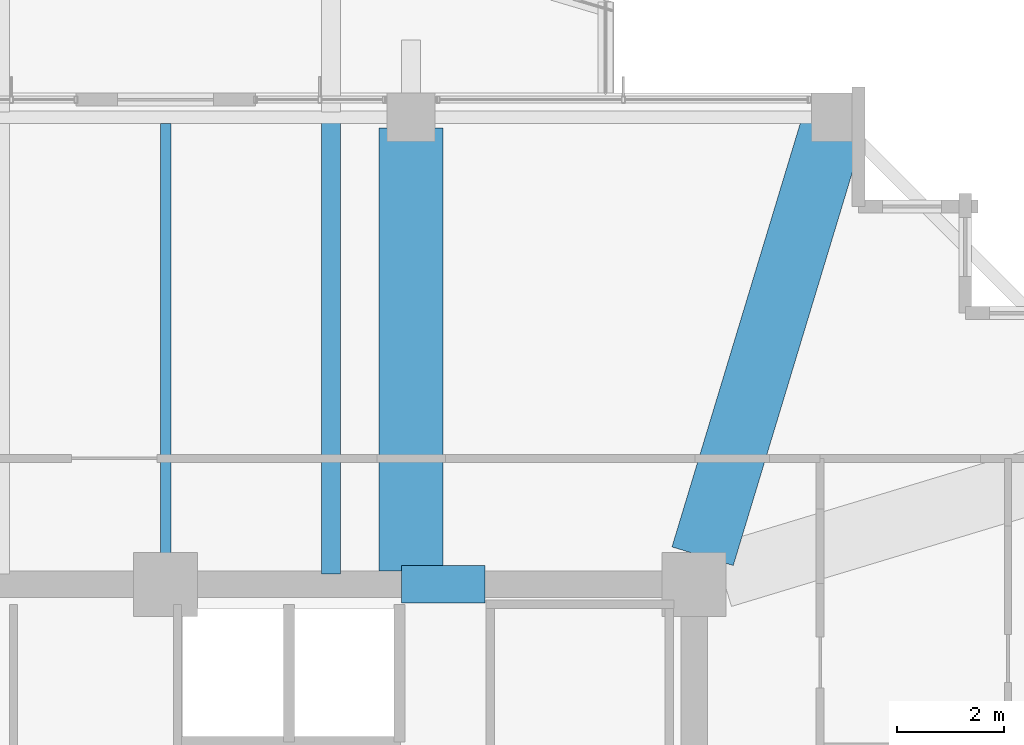
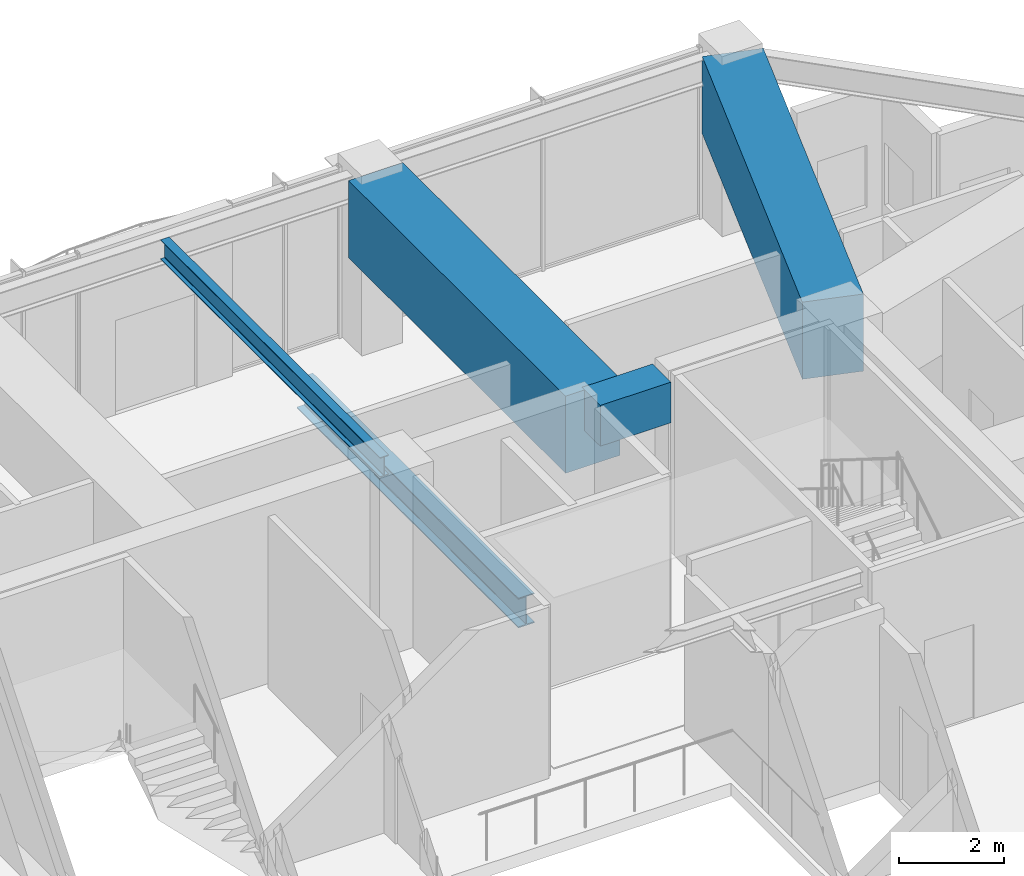
# One storey, part 17 of 33: 5 beams.
"""IFC4 building model written with IfcOpenShell, lengths in metres."""

from ifc_helpers import new_model, si_unit, direction, frame, origin, origin_2d, place, context, subcontext, project, spatial, rectangle, i_section, extrude, material, material_profile, profile_set, type_object, element, save


model = new_model("IFC4")

# Units and contexts
model_context = context("Model", 3, precision=1e-05, world=origin(), true_north=direction((0.0, 1.0)))
body_context = subcontext(model_context, "Body", "Model", "MODEL_VIEW")
ifc_project = project(units=[si_unit("LENGTHUNIT", "METRE"), si_unit("AREAUNIT", "SQUARE_METRE"), si_unit("VOLUMEUNIT", "CUBIC_METRE"), si_unit("PLANEANGLEUNIT", "RADIAN"), si_unit("MASSUNIT", "GRAM", prefix="KILO")], contexts=[model_context])

# Site, building, storey
site_placement = place(None, origin())
site = spatial("IfcSite", under=ifc_project, at=site_placement, CompositionType="ELEMENT")
building_placement = place(site_placement, origin())
building = spatial("IfcBuilding", under=site, at=building_placement, Name="Kolvaren Belvedere", CompositionType="ELEMENT")
storey_placement = place(building_placement, frame((0.0, 0.0, 152.699951171875)))
storey = spatial("IfcBuildingStorey", under=building, at=storey_placement, Name="L44", CompositionType="ELEMENT", Elevation=152.699951171875)

# Beams
ifc_material_1 = material(Name="Structural steel ASTM A992 Grade 50", Category="steel")
ifc_material_profile_1 = material_profile(ifc_material_1, i_section(OverallWidth=0.35498046875, OverallDepth=0.696044921875, WebThickness=0.015380859375, FlangeThickness=0.02490234375, FilletRadius=0.02197265625, at=origin_2d()), Name="W27X146")
ifc_profile_set_1 = profile_set([ifc_material_profile_1], Name="Structural steel ASTM A992 Grade 50")
beam_type_1 = type_object("IfcBeamType", Name="BM-GIRD-W27X146", PredefinedType="BEAM", material=ifc_profile_set_1)
beam_1_placement = place(storey_placement, frame((3.10009765625, 10.090087890625, -0.64794921875), z_axis=(0.0, 1.0, 0.0), x_axis=(-1.0, 0.0, 0.0)))
element("IfcBeam", 1, at=beam_1_placement, inside=storey, type_object=beam_type_1, Name="L44 Balcony Interior Back-Span Girder BAL-N-2", PredefinedType="BEAM", context=body_context, shape_type="SweptSolid", body=[
    extrude(i_section(OverallWidth=0.35498046875, OverallDepth=0.696044921875, WebThickness=0.015380859375, FlangeThickness=0.02490234375, FilletRadius=0.02197265625, at=origin_2d()), origin(), (0.0, 0.0, 1.0), 8.46484375),
])
ifc_material_2 = material(Name="Structural steel ASTM A992 Grade 50", Category="steel")
ifc_material_profile_2 = material_profile(ifc_material_2, i_section(OverallWidth=0.19091796875, OverallDepth=0.4599609375, WebThickness=0.010009765625, FlangeThickness=0.01611328125, FilletRadius=0.014892578125, at=origin_2d()), Name="W18X55")
ifc_profile_set_2 = profile_set([ifc_material_profile_2], Name="Structural steel ASTM A992 Grade 50")
beam_type_2 = type_object("IfcBeamType", Name="BM-JOIST-W18X55", PredefinedType="BEAM", material=ifc_profile_set_2)
beam_2_placement = place(storey_placement, frame((0.0, 10.14990234375, 3.77001953125), z_axis=(0.0, 1.0, 0.0), x_axis=(-1.0, 0.0, 0.0)))
element("IfcBeam", 2, at=beam_2_placement, inside=storey, type_object=beam_type_2, Name="L44 North Centre Floor Beam", PredefinedType="BEAM", context=body_context, shape_type="SweptSolid", body=[
    extrude(i_section(OverallWidth=0.19091796875, OverallDepth=0.4599609375, WebThickness=0.010009765625, FlangeThickness=0.01611328125, FilletRadius=0.014892578125, at=origin_2d()), origin(), (0.0, 0.0, 1.0), 8.385498046875),
])
ifc_material_3 = material(Name="Concrete C60/75", Category="concrete")
ifc_material_profile_3 = material_profile(ifc_material_3, rectangle(XDim=0.699951171875, YDim=0.949951171875, at=origin_2d()), Name="RC 700X950")
ifc_profile_set_3 = profile_set([ifc_material_profile_3], Name="Concrete C60/75")
beam_type_3 = type_object("IfcBeamType", Name="BM-LINT-950", PredefinedType="LINTEL", material=ifc_profile_set_3)
beam_3_placement = place(storey_placement, frame((4.419921875, 9.89990234375, 3.525146484375), z_axis=(1.0, 0.0, 0.0), x_axis=(0.0, 1.0, 0.0)))
element("IfcBeam", 3, at=beam_3_placement, inside=storey, type_object=beam_type_3, Name="L44 North Core Coupling Lintel", PredefinedType="LINTEL", context=body_context, shape_type="SweptSolid", body=[
    extrude(rectangle(XDim=0.699951171875, YDim=0.949951171875, at=origin_2d()), origin(), (0.0, 0.0, 1.0), 1.56005859375),
])
ifc_material_4 = material(Name="Concrete C50/60", Category="concrete")
ifc_material_profile_4 = material_profile(ifc_material_4, rectangle(XDim=1.199951171875, YDim=1.800048828125, at=origin_2d()), Name="RC 1200X1800")
ifc_profile_set_4 = profile_set([ifc_material_profile_4], Name="Concrete C50/60")
beam_type_4 = type_object("IfcBeamType", Name="BM-TG-1800", PredefinedType="BEAM", material=ifc_profile_set_4)
beam_4_placement = place(storey_placement, frame((4.60009765625, 10.14990234375, 3.10009765625), z_axis=(0.0, 1.0, 0.0), x_axis=(-1.0, 0.0, 0.0)))
element("IfcBeam", 4, at=beam_4_placement, inside=storey, type_object=beam_type_4, Name="L44 North Radial Girder P", PredefinedType="BEAM", context=body_context, shape_type="SweptSolid", body=[
    extrude(rectangle(XDim=1.199951171875, YDim=1.800048828125, at=origin_2d()), origin(), (0.0, 0.0, 1.0), 8.297607421875),
])
beam_5_placement = place(storey_placement, frame((10.059326171875, 10.426513671875, 3.10009765625), z_axis=(0.289865629086, 0.957067352423, 0.0), x_axis=(-0.957067352423, 0.289865629086, 0.0)))
element("IfcBeam", 5, at=beam_5_placement, inside=storey, type_object=beam_type_4, Name="L44 Corner Core-to-Perimeter Girder CC3-N4", PredefinedType="BEAM", context=body_context, shape_type="SweptSolid", body=[
    extrude(rectangle(XDim=1.199951171875, YDim=1.800048828125, at=origin_2d()), origin(), (0.0, 0.0, 1.0), 8.412353515625),
])

save(model, "model.ifc")
